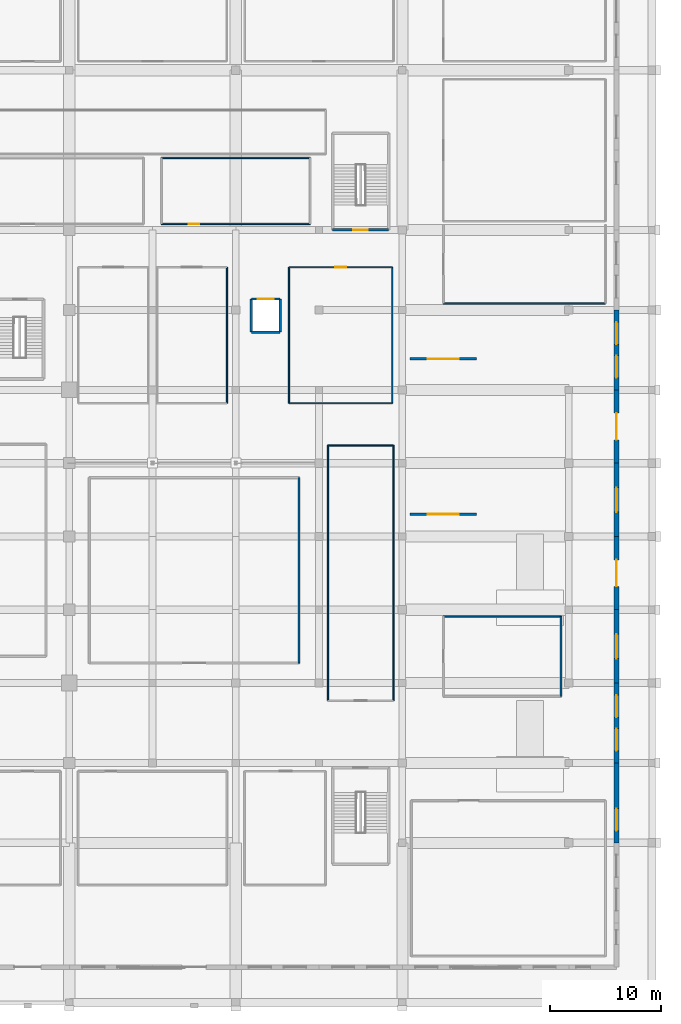
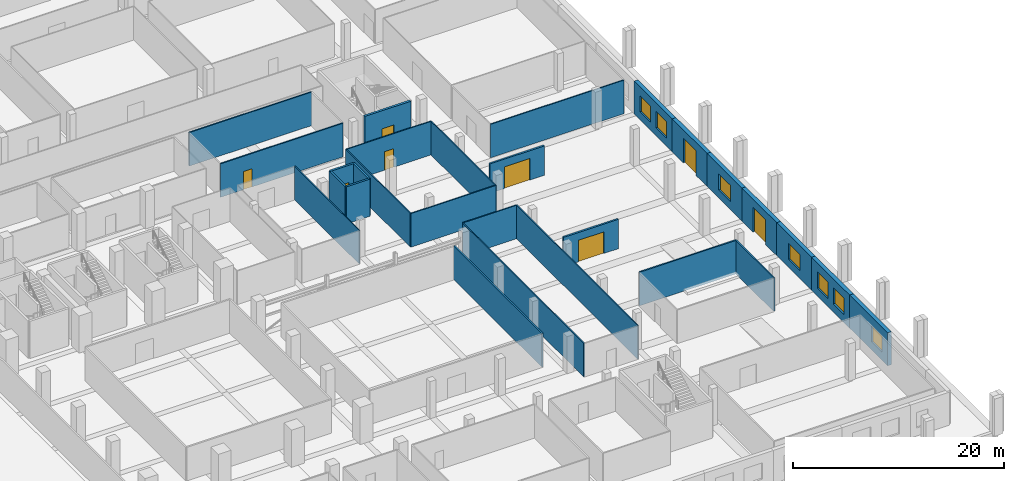
# One storey, part 23 of 33: 28 walls, 8 doors, 7 windows, 15 openings.
"""IFC4 building model written with IfcOpenShell, lengths in metres."""

from ifc_helpers import new_model, si_unit, direction, frame, frame_2d, origin, place, context, subcontext, project, spatial, rectangle, extrude, material, layer, layer_set, type_object, element, fill, save


model = new_model("IFC4")

# Units and contexts
model_context = context("Model", 3, precision=1e-05, world=origin(), true_north=direction((0.0, 1.0)))
body_context = subcontext(model_context, "Body", "Model", "MODEL_VIEW")
ifc_project = project(units=[si_unit("LENGTHUNIT", "METRE"), si_unit("AREAUNIT", "SQUARE_METRE"), si_unit("VOLUMEUNIT", "CUBIC_METRE"), si_unit("PLANEANGLEUNIT", "RADIAN"), si_unit("MASSUNIT", "GRAM", prefix="KILO")], contexts=[model_context])

# Site, building, storey
site_placement = place(None, origin())
site = spatial("IfcSite", under=ifc_project, at=site_placement, CompositionType="ELEMENT")
building_placement = place(site_placement, origin())
building = spatial("IfcBuilding", under=site, at=building_placement, Name="Akrevak Sports Hall", CompositionType="ELEMENT")
storey_placement = place(building_placement, origin())
storey = spatial("IfcBuildingStorey", under=building, at=storey_placement, Name="L00", CompositionType="ELEMENT", Elevation=0.0)

# Wall, opening, window
ifc_material_1 = material(Name="Limestone Ashlar", Category="stone")
ifc_layer_1 = layer(ifc_material_1, 0.090087890625, Name="Limestone Ashlar")
ifc_material_2 = material(Name="Mineral Wool Thermal Insulation", Category="insulation")
ifc_layer_2 = layer(ifc_material_2, 0.110107421875, Name="Mineral Wool Thermal Insulation")
ifc_material_3 = material(Name="Concrete C40/50", Category="concrete")
ifc_layer_3 = layer(ifc_material_3, 0.219970703125, Name="Concrete C40/50")
ifc_layer_set_1 = layer_set([ifc_layer_1, ifc_layer_2, ifc_layer_3], Name="Limestone Ashlar / Mineral Wool Thermal Insulation / Concrete C40/50")
wall_type_1 = type_object("IfcWallType", Name="ARC-WL-EXT-420", PredefinedType="SOLIDWALL", material=ifc_layer_set_1)
wall_1_placement = place(storey_placement, frame((164.800048828125, 14.39990234375, 0.0), z_axis=(0.0, 0.0, 1.0), x_axis=(0.0, 1.0, 0.0)))
wall_1 = element("IfcWall", 1, at=wall_1_placement, inside=storey, type_object=wall_type_1, Name="East Avenue Arcade Limestone Wall L00-E03", PredefinedType="SOLIDWALL", context=body_context, shape_type="SweptSolid", body=[
    extrude(rectangle(XDim=7.2001953125, YDim=0.419921875, at=frame_2d((3.60009765625, 0.0))), origin(), (0.0, 0.0, 1.0), 3.820068359375),
])
opening_1_placement = place(wall_1_placement, frame((1.087890625, 0.0, 0.919921875)))
opening_1 = element("IfcOpeningElement", 2, at=opening_1_placement, cuts=wall_1, Name="Opening WN-28", PredefinedType="OPENING", context=body_context, shape_type="SweptSolid", body=[
    extrude(rectangle(XDim=2.0, YDim=1.889892578125, at=frame_2d((1.0, 0.94482421875))), frame((0.0, 0.221923828125, 0.0), z_axis=(0.0, -1.0, 0.0), x_axis=(1.0, 0.0, 0.0)), (0.0, 0.0, 1.0), 0.44384765625),
])
ifc_material_4 = material(Name="Thermally Broken Bronze Frame & Double Low-E Glass", Category="glass")
window_type_1 = type_object("IfcWindowType", Name="ARC-WIN-SZ-2000x1890", PartitioningType="SINGLE_PANEL", PredefinedType="WINDOW", material=ifc_material_4)
window_1_placement = place(opening_1_placement, origin())
window_1 = element("IfcWindow", 3, at=window_1_placement, inside=storey, type_object=window_type_1, Name="Beaux-Arts Facade Window WIN-L00-E03-1", OverallHeight=1.889892578125, OverallWidth=2.0, PartitioningType="SINGLE_PANEL", PredefinedType="WINDOW", context=body_context, shape_type="SweptSolid", body=[
    extrude(rectangle(XDim=2.0, YDim=1.889892578125, at=frame_2d((1.0, 0.94482421875))), frame((0.0, 0.030029296875, 0.0), z_axis=(0.0, -1.0, 0.0), x_axis=(1.0, 0.0, 0.0)), (0.0, 0.0, 1.0), 0.06005859375),
])
fill(opening_1, window_1)

# Wall, openings, windows
wall_2_placement = place(storey_placement, frame((164.800048828125, 21.60009765625, 0.0), z_axis=(0.0, 0.0, 1.0), x_axis=(0.0, 1.0, 0.0)))
wall_2 = element("IfcWall", 4, at=wall_2_placement, inside=storey, type_object=wall_type_1, Name="East Avenue Arcade Limestone Wall L00-E04", PredefinedType="SOLIDWALL", context=body_context, shape_type="SweptSolid", body=[
    extrude(rectangle(XDim=7.199951171875, YDim=0.419921875, at=frame_2d((3.60009765625, 0.0))), origin(), (0.0, 0.0, 1.0), 3.820068359375),
])
opening_2_placement = place(wall_2_placement, frame((1.087890625, 0.0, 0.919921875)))
opening_2 = element("IfcOpeningElement", 5, at=opening_2_placement, cuts=wall_2, Name="Opening WN-28", PredefinedType="OPENING", context=body_context, shape_type="SweptSolid", body=[
    extrude(rectangle(XDim=2.0, YDim=1.889892578125, at=frame_2d((1.0, 0.94482421875))), frame((0.0, 0.221923828125, 0.0), z_axis=(0.0, -1.0, 0.0), x_axis=(1.0, 0.0, 0.0)), (0.0, 0.0, 1.0), 0.44384765625),
])
opening_3_placement = place(wall_2_placement, frame((4.112060546875, 0.0, 0.919921875)))
opening_3 = element("IfcOpeningElement", 6, at=opening_3_placement, cuts=wall_2, Name="Opening WN-28", PredefinedType="OPENING", context=body_context, shape_type="SweptSolid", body=[
    extrude(rectangle(XDim=2.0, YDim=1.889892578125, at=frame_2d((1.0, 0.94482421875))), frame((0.0, 0.221923828125, 0.0), z_axis=(0.0, -1.0, 0.0), x_axis=(1.0, 0.0, 0.0)), (0.0, 0.0, 1.0), 0.44384765625),
])
window_2_placement = place(opening_2_placement, origin())
window_2 = element("IfcWindow", 7, at=window_2_placement, inside=storey, type_object=window_type_1, Name="Beaux-Arts Facade Window WIN-L00-E04-1", OverallHeight=1.889892578125, OverallWidth=2.0, PartitioningType="SINGLE_PANEL", PredefinedType="WINDOW", context=body_context, shape_type="SweptSolid", body=[
    extrude(rectangle(XDim=2.0, YDim=1.889892578125, at=frame_2d((1.0, 0.94482421875))), frame((0.0, 0.030029296875, 0.0), z_axis=(0.0, -1.0, 0.0), x_axis=(1.0, 0.0, 0.0)), (0.0, 0.0, 1.0), 0.06005859375),
])
fill(opening_2, window_2)
window_3_placement = place(opening_3_placement, origin())
window_3 = element("IfcWindow", 8, at=window_3_placement, inside=storey, type_object=window_type_1, Name="Beaux-Arts Facade Window WIN-L00-E04-2", OverallHeight=1.889892578125, OverallWidth=2.0, PartitioningType="SINGLE_PANEL", PredefinedType="WINDOW", context=body_context, shape_type="SweptSolid", body=[
    extrude(rectangle(XDim=2.0, YDim=1.889892578125, at=frame_2d((1.0, 0.94482421875))), frame((0.0, 0.030029296875, 0.0), z_axis=(0.0, -1.0, 0.0), x_axis=(1.0, 0.0, 0.0)), (0.0, 0.0, 1.0), 0.06005859375),
])
fill(opening_3, window_3)

# Wall, opening, window
wall_3_placement = place(storey_placement, frame((164.800048828125, 28.800048828125, 0.0), z_axis=(0.0, 0.0, 1.0), x_axis=(0.0, 1.0, 0.0)))
wall_3 = element("IfcWall", 9, at=wall_3_placement, inside=storey, type_object=wall_type_1, Name="East Avenue Arcade Limestone Wall L00-E05", PredefinedType="SOLIDWALL", context=body_context, shape_type="SweptSolid", body=[
    extrude(rectangle(XDim=6.599853515625, YDim=0.419921875, at=frame_2d((3.2998046875, 0.0))), origin(), (0.0, 0.0, 1.0), 3.820068359375),
])
opening_4_placement = place(wall_3_placement, frame((2.199951171875, 0.0, 0.919921875)))
opening_4 = element("IfcOpeningElement", 10, at=opening_4_placement, cuts=wall_3, Name="Opening WN-27", PredefinedType="OPENING", context=body_context, shape_type="SweptSolid", body=[
    extrude(rectangle(XDim=2.199951171875, YDim=1.889892578125, at=frame_2d((1.10009765625, 0.94482421875))), frame((0.0, 0.221923828125, 0.0), z_axis=(0.0, -1.0, 0.0), x_axis=(1.0, 0.0, 0.0)), (0.0, 0.0, 1.0), 0.44384765625),
])
window_type_2 = type_object("IfcWindowType", Name="ARC-WIN-SZ-2200x1890", PartitioningType="SINGLE_PANEL", PredefinedType="WINDOW", material=ifc_material_4)
window_4_placement = place(opening_4_placement, origin())
window_4 = element("IfcWindow", 11, at=window_4_placement, inside=storey, type_object=window_type_2, Name="Beaux-Arts Facade Window WIN-L00-E05", OverallHeight=1.889892578125, OverallWidth=2.199951171875, PartitioningType="SINGLE_PANEL", PredefinedType="WINDOW", context=body_context, shape_type="SweptSolid", body=[
    extrude(rectangle(XDim=2.199951171875, YDim=1.889892578125, at=frame_2d((1.10009765625, 0.94482421875))), frame((0.0, 0.030029296875, 0.0), z_axis=(0.0, -1.0, 0.0), x_axis=(1.0, 0.0, 0.0)), (0.0, 0.0, 1.0), 0.06005859375),
])
fill(opening_4, window_4)

# Wall, opening, door
wall_4_placement = place(storey_placement, frame((164.800048828125, 35.39990234375, 0.0), z_axis=(0.0, 0.0, 1.0), x_axis=(0.0, 1.0, 0.0)))
wall_4 = element("IfcWall", 12, at=wall_4_placement, inside=storey, type_object=wall_type_1, Name="East Avenue Arcade Limestone Wall L00-E06", PredefinedType="SOLIDWALL", context=body_context, shape_type="SweptSolid", body=[
    extrude(rectangle(XDim=6.60009765625, YDim=0.419921875, at=frame_2d((3.300048828125, 0.0))), origin(), (0.0, 0.0, 1.0), 3.820068359375),
])
opening_5_placement = place(wall_4_placement, frame((2.10009765625, 0.0, 0.0)))
opening_5 = element("IfcOpeningElement", 13, at=opening_5_placement, cuts=wall_4, Name="Opening ED-01", PredefinedType="OPENING", context=body_context, shape_type="SweptSolid", body=[
    extrude(rectangle(XDim=2.39990234375, YDim=2.85009765625, at=frame_2d((1.199951171875, 1.425048828125))), frame((0.0, 0.221923828125, 0.0), z_axis=(0.0, -1.0, 0.0), x_axis=(1.0, 0.0, 0.0)), (0.0, 0.0, 1.0), 0.44384765625),
])
ifc_material_5 = material(Name="Anodized Bronze Aluminium & Tempered Glass", Category="aluminium")
door_type_1 = type_object("IfcDoorType", Name="ARC-DR-EXT-240x260", OperationType="DOUBLE_DOOR_SINGLE_SWING", PredefinedType="DOOR", material=ifc_material_5)
door_1_placement = place(opening_5_placement, frame((2.39990234375, 0.0, 0.0), z_axis=(0.0, 0.0, 1.0), x_axis=(-1.0, 0.0, 0.0)))
door_1 = element("IfcDoor", 14, at=door_1_placement, inside=storey, type_object=door_type_1, Name="East Avenue Climbing Hall Entrance ED09", OperationType="DOUBLE_DOOR_SINGLE_SWING", OverallHeight=2.85009765625, OverallWidth=2.39990234375, PredefinedType="DOOR", context=body_context, shape_type="SweptSolid", body=[
    extrude(rectangle(XDim=2.39990234375, YDim=2.85009765625, at=frame_2d((1.199951171875, 1.425048828125))), frame((0.0, 0.02490234375, 0.0), z_axis=(0.0, -1.0, 0.0), x_axis=(1.0, 0.0, 0.0)), (0.0, 0.0, 1.0), 0.050048828125),
])
fill(opening_5, door_1)

# Wall, opening, window
wall_5_placement = place(storey_placement, frame((164.800048828125, 42.0, 0.0), z_axis=(0.0, 0.0, 1.0), x_axis=(0.0, 1.0, 0.0)))
wall_5 = element("IfcWall", 15, at=wall_5_placement, inside=storey, type_object=wall_type_1, Name="East Avenue Arcade Limestone Wall L00-E07", PredefinedType="SOLIDWALL", context=body_context, shape_type="SweptSolid", body=[
    extrude(rectangle(XDim=6.60009765625, YDim=0.419921875, at=frame_2d((3.300048828125, 0.0))), origin(), (0.0, 0.0, 1.0), 3.820068359375),
])
opening_6_placement = place(wall_5_placement, frame((2.199951171875, 0.0, 0.919921875)))
opening_6 = element("IfcOpeningElement", 16, at=opening_6_placement, cuts=wall_5, Name="Opening WN-27", PredefinedType="OPENING", context=body_context, shape_type="SweptSolid", body=[
    extrude(rectangle(XDim=2.199951171875, YDim=1.889892578125, at=frame_2d((1.10009765625, 0.94482421875))), frame((0.0, 0.221923828125, 0.0), z_axis=(0.0, -1.0, 0.0), x_axis=(1.0, 0.0, 0.0)), (0.0, 0.0, 1.0), 0.44384765625),
])
window_5_placement = place(opening_6_placement, origin())
window_5 = element("IfcWindow", 17, at=window_5_placement, inside=storey, type_object=window_type_2, Name="Beaux-Arts Facade Window WIN-L00-E07", OverallHeight=1.889892578125, OverallWidth=2.199951171875, PartitioningType="SINGLE_PANEL", PredefinedType="WINDOW", context=body_context, shape_type="SweptSolid", body=[
    extrude(rectangle(XDim=2.199951171875, YDim=1.889892578125, at=frame_2d((1.10009765625, 0.94482421875))), frame((0.0, 0.030029296875, 0.0), z_axis=(0.0, -1.0, 0.0), x_axis=(1.0, 0.0, 0.0)), (0.0, 0.0, 1.0), 0.06005859375),
])
fill(opening_6, window_5)

# Wall, opening, door
wall_6_placement = place(storey_placement, frame((164.800048828125, 48.60009765625, 0.0), z_axis=(0.0, 0.0, 1.0), x_axis=(0.0, 1.0, 0.0)))
wall_6 = element("IfcWall", 18, at=wall_6_placement, inside=storey, type_object=wall_type_1, Name="East Avenue Arcade Limestone Wall L00-E08", PredefinedType="SOLIDWALL", context=body_context, shape_type="SweptSolid", body=[
    extrude(rectangle(XDim=6.599853515625, YDim=0.419921875, at=frame_2d((3.2998046875, 0.0))), origin(), (0.0, 0.0, 1.0), 3.820068359375),
])
opening_7_placement = place(wall_6_placement, frame((2.10009765625, 0.0, 0.0)))
opening_7 = element("IfcOpeningElement", 19, at=opening_7_placement, cuts=wall_6, Name="Opening ED-01", PredefinedType="OPENING", context=body_context, shape_type="SweptSolid", body=[
    extrude(rectangle(XDim=2.39990234375, YDim=2.85009765625, at=frame_2d((1.199951171875, 1.425048828125))), frame((0.0, 0.221923828125, 0.0), z_axis=(0.0, -1.0, 0.0), x_axis=(1.0, 0.0, 0.0)), (0.0, 0.0, 1.0), 0.44384765625),
])
door_2_placement = place(opening_7_placement, frame((2.39990234375, 0.0, 0.0), z_axis=(0.0, 0.0, 1.0), x_axis=(-1.0, 0.0, 0.0)))
door_2 = element("IfcDoor", 20, at=door_2_placement, inside=storey, type_object=door_type_1, Name="East Avenue Concourse Exit ED10", OperationType="DOUBLE_DOOR_SINGLE_SWING", OverallHeight=2.85009765625, OverallWidth=2.39990234375, PredefinedType="DOOR", context=body_context, shape_type="SweptSolid", body=[
    extrude(rectangle(XDim=2.39990234375, YDim=2.85009765625, at=frame_2d((1.199951171875, 1.425048828125))), frame((0.0, 0.02490234375, 0.0), z_axis=(0.0, -1.0, 0.0), x_axis=(1.0, 0.0, 0.0)), (0.0, 0.0, 1.0), 0.050048828125),
])
fill(opening_7, door_2)

# Wall, openings, windows
wall_7_placement = place(storey_placement, frame((164.800048828125, 55.199951171875, 0.0), z_axis=(0.0, 0.0, 1.0), x_axis=(0.0, 1.0, 0.0)))
wall_7 = element("IfcWall", 21, at=wall_7_placement, inside=storey, type_object=wall_type_1, Name="East Avenue Arcade Limestone Wall L00-E09", PredefinedType="SOLIDWALL", context=body_context, shape_type="SweptSolid", body=[
    extrude(rectangle(XDim=7.199951171875, YDim=0.419921875, at=frame_2d((3.60009765625, 0.0))), origin(), (0.0, 0.0, 1.0), 3.820068359375),
])
opening_8_placement = place(wall_7_placement, frame((1.087890625, 0.0, 0.919921875)))
opening_8 = element("IfcOpeningElement", 22, at=opening_8_placement, cuts=wall_7, Name="Opening WN-28", PredefinedType="OPENING", context=body_context, shape_type="SweptSolid", body=[
    extrude(rectangle(XDim=2.0, YDim=1.889892578125, at=frame_2d((1.0, 0.94482421875))), frame((0.0, 0.221923828125, 0.0), z_axis=(0.0, -1.0, 0.0), x_axis=(1.0, 0.0, 0.0)), (0.0, 0.0, 1.0), 0.44384765625),
])
opening_9_placement = place(wall_7_placement, frame((4.112060546875, 0.0, 0.919921875)))
opening_9 = element("IfcOpeningElement", 23, at=opening_9_placement, cuts=wall_7, Name="Opening WN-28", PredefinedType="OPENING", context=body_context, shape_type="SweptSolid", body=[
    extrude(rectangle(XDim=2.0, YDim=1.889892578125, at=frame_2d((1.0, 0.94482421875))), frame((0.0, 0.221923828125, 0.0), z_axis=(0.0, -1.0, 0.0), x_axis=(1.0, 0.0, 0.0)), (0.0, 0.0, 1.0), 0.44384765625),
])
window_6_placement = place(opening_8_placement, origin())
window_6 = element("IfcWindow", 24, at=window_6_placement, inside=storey, type_object=window_type_1, Name="Beaux-Arts Facade Window WIN-L00-E09-1", OverallHeight=1.889892578125, OverallWidth=2.0, PartitioningType="SINGLE_PANEL", PredefinedType="WINDOW", context=body_context, shape_type="SweptSolid", body=[
    extrude(rectangle(XDim=2.0, YDim=1.889892578125, at=frame_2d((1.0, 0.94482421875))), frame((0.0, 0.030029296875, 0.0), z_axis=(0.0, -1.0, 0.0), x_axis=(1.0, 0.0, 0.0)), (0.0, 0.0, 1.0), 0.06005859375),
])
fill(opening_8, window_6)
window_7_placement = place(opening_9_placement, origin())
window_7 = element("IfcWindow", 25, at=window_7_placement, inside=storey, type_object=window_type_1, Name="Beaux-Arts Facade Window WIN-L00-E09-2", OverallHeight=1.889892578125, OverallWidth=2.0, PartitioningType="SINGLE_PANEL", PredefinedType="WINDOW", context=body_context, shape_type="SweptSolid", body=[
    extrude(rectangle(XDim=2.0, YDim=1.889892578125, at=frame_2d((1.0, 0.94482421875))), frame((0.0, 0.030029296875, 0.0), z_axis=(0.0, -1.0, 0.0), x_axis=(1.0, 0.0, 0.0)), (0.0, 0.0, 1.0), 0.06005859375),
])
fill(opening_9, window_7)

# Walls
ifc_material_6 = material(Name="Lightweight Office Partition", Category="gypsum")
ifc_layer_4 = layer(ifc_material_6, 0.110107421875, Name="Lightweight Office Partition")
ifc_layer_set_2 = layer_set([ifc_layer_4], Name="Lightweight Office Partition")
wall_type_2 = type_object("IfcWallType", Name="ARC-WL-PRT-110", PredefinedType="PARTITIONING", material=ifc_layer_set_2)
wall_8_placement = place(storey_placement, frame((129.699951171875, 54.0, 0.0), z_axis=(0.0, 0.0, 1.0), x_axis=(0.0, 1.0, 0.0)))
element("IfcWall", 26, at=wall_8_placement, inside=storey, type_object=wall_type_2, Name="Interior Partition Climbing Rigging & Mat Storage L00 (E)", PredefinedType="PARTITIONING", context=body_context, shape_type="SweptSolid", body=[
    extrude(rectangle(XDim=12.25, YDim=0.110107421875, at=frame_2d((6.125, 0.0))), origin(), (0.0, 0.0, 1.0), 3.8798828125),
])
ifc_material_7 = material(Name="Standard Metal Stud Partition", Category="gypsum")
ifc_layer_5 = layer(ifc_material_7, 0.1201171875, Name="Standard Metal Stud Partition")
ifc_layer_set_3 = layer_set([ifc_layer_5], Name="Standard Metal Stud Partition")
wall_type_3 = type_object("IfcWallType", Name="ARC-WL-PRT-120", PredefinedType="PARTITIONING", material=ifc_layer_set_3)
wall_9_placement = place(storey_placement, frame((135.300048828125, 54.0, 0.0), z_axis=(0.0, 0.0, 1.0), x_axis=(1.0, 0.0, 0.0)))
element("IfcWall", 27, at=wall_9_placement, inside=storey, type_object=wall_type_3, Name="Interior Partition East Technical Officiating Office L00 (S)", PredefinedType="PARTITIONING", context=body_context, shape_type="SweptSolid", body=[
    extrude(rectangle(XDim=9.300048828125, YDim=0.1201171875, at=frame_2d((4.64990234375, 0.0))), origin(), (0.0, 0.0, 1.0), 3.8798828125),
])

# Wall, opening, door
wall_10_placement = place(storey_placement, frame((135.300048828125, 66.25, 0.0), z_axis=(0.0, 0.0, 1.0), x_axis=(1.0, 0.0, 0.0)))
wall_10 = element("IfcWall", 28, at=wall_10_placement, inside=storey, type_object=wall_type_3, Name="Interior Partition East Technical Officiating Office L00 (N)", PredefinedType="PARTITIONING", context=body_context, shape_type="SweptSolid", body=[
    extrude(rectangle(XDim=9.300048828125, YDim=0.1201171875, at=frame_2d((4.64990234375, 0.0))), origin(), (0.0, 0.0, 1.0), 3.8798828125),
])
opening_10_placement = place(wall_10_placement, frame((4.14990234375, 0.0, 0.0)))
opening_10 = element("IfcOpeningElement", 29, at=opening_10_placement, cuts=wall_10, Name="Opening ID-06", PredefinedType="OPENING", context=body_context, shape_type="SweptSolid", body=[
    extrude(rectangle(XDim=1.0, YDim=2.14990234375, at=frame_2d((0.5, 1.074951171875))), frame((0.0, 0.072021484375, 0.0), z_axis=(0.0, -1.0, 0.0), x_axis=(1.0, 0.0, 0.0)), (0.0, 0.0, 1.0), 0.14404296875),
])
ifc_material_8 = material(Name="Hardwood Oak Acoustic Leaf", Category="wood")
door_type_2 = type_object("IfcDoorType", Name="ARC-DR-OFF-100x215", OperationType="NOTDEFINED", PredefinedType="DOOR", material=ifc_material_8)
door_3_placement = place(opening_10_placement, origin())
door_3 = element("IfcDoor", 30, at=door_3_placement, inside=storey, type_object=door_type_2, Name="Door to East Technical Officiating Office L00", OperationType="SINGLE_SWING_LEFT", OverallHeight=2.14990234375, OverallWidth=1.0, PredefinedType="DOOR", context=body_context, shape_type="SweptSolid", body=[
    extrude(rectangle(XDim=1.0, YDim=2.14990234375, at=frame_2d((0.5, 1.074951171875))), frame((0.0, 0.02490234375, 0.0), z_axis=(0.0, -1.0, 0.0), x_axis=(1.0, 0.0, 0.0)), (0.0, 0.0, 1.0), 0.050048828125),
])
fill(opening_10, door_3)

# Walls
for number, where, z_axis, x_axis, name in (
    (31, (135.300048828125, 54.0, 0.0), (0.0, 0.0, 1.0), (0.0, 1.0, 0.0), "Interior Partition East Technical Officiating Office L00 (W)"),
    (32, (144.60009765625, 54.0, 0.0), (0.0, 0.0, 1.0), (0.0, 1.0, 0.0), "Interior Partition East Technical Officiating Office L00 (E)"),
):
    element("IfcWall", number, at=place(storey_placement, frame(where, z_axis=z_axis, x_axis=x_axis)), inside=storey, type_object=wall_type_3, Name=name, PredefinedType="PARTITIONING", context=body_context, shape_type="SweptSolid", body=[
        extrude(rectangle(XDim=12.25, YDim=0.1201171875, at=frame_2d((6.125, 0.0))), origin(), (0.0, 0.0, 1.0), 3.8798828125),
    ])
wall_11_placement = place(storey_placement, frame((149.199951171875, 63.0, 0.0), z_axis=(0.0, 0.0, 1.0), x_axis=(1.0, 0.0, 0.0)))
element("IfcWall", 33, at=wall_11_placement, inside=storey, type_object=wall_type_3, Name="Interior Partition North-East Team Kit Storage L00 (S)", PredefinedType="PARTITIONING", context=body_context, shape_type="SweptSolid", body=[
    extrude(rectangle(XDim=14.60009765625, YDim=0.1201171875, at=frame_2d((7.300048828125, 0.0))), origin(), (0.0, 0.0, 1.0), 3.8798828125),
])
wall_12_placement = place(storey_placement, frame((138.800048828125, 50.199951171875, 0.0), z_axis=(0.0, 0.0, 1.0), x_axis=(1.0, 0.0, 0.0)))
element("IfcWall", 34, at=wall_12_placement, inside=storey, type_object=wall_type_3, Name="Interior Partition Climbing Competition Judges & Isolation Room L00 (N)", PredefinedType="PARTITIONING", context=body_context, shape_type="SweptSolid", body=[
    extrude(rectangle(XDim=5.89990234375, YDim=0.1201171875, at=frame_2d((2.949951171875, 0.0))), origin(), (0.0, 0.0, 1.0), 3.8798828125),
])
for number, where, z_axis, x_axis, name in (
    (35, (138.800048828125, 27.199951171875, 0.0), (0.0, 0.0, 1.0), (0.0, 1.0, 0.0), "Interior Partition Climbing Competition Judges & Isolation Room L00 (W)"),
    (36, (144.699951171875, 27.199951171875, 0.0), (0.0, 0.0, 1.0), (0.0, 1.0, 0.0), "Interior Partition Climbing Competition Judges & Isolation Room L00 (E)"),
):
    element("IfcWall", number, at=place(storey_placement, frame(where, z_axis=z_axis, x_axis=x_axis)), inside=storey, type_object=wall_type_3, Name=name, PredefinedType="PARTITIONING", context=body_context, shape_type="SweptSolid", body=[
        extrude(rectangle(XDim=23.0, YDim=0.1201171875, at=frame_2d((11.5, 0.0))), origin(), (0.0, 0.0, 1.0), 3.8798828125),
    ])

# Wall, opening, door
ifc_material_9 = material(Name="Moisture-Resistant Wet-Area Partition", Category="gypsum")
ifc_layer_6 = layer(ifc_material_9, 0.139892578125, Name="Moisture-Resistant Wet-Area Partition")
ifc_layer_set_4 = layer_set([ifc_layer_6], Name="Moisture-Resistant Wet-Area Partition")
wall_type_4 = type_object("IfcWallType", Name="ARC-WL-PRT-140", PredefinedType="PARTITIONING", material=ifc_layer_set_4)
wall_13_placement = place(storey_placement, frame((123.800048828125, 70.14990234375, 0.0), z_axis=(0.0, 0.0, 1.0), x_axis=(1.0, 0.0, 0.0)))
wall_13 = element("IfcWall", 37, at=wall_13_placement, inside=storey, type_object=wall_type_4, Name="Interior Partition Athletes Team Shower Suite (S)", PredefinedType="PARTITIONING", context=body_context, shape_type="SweptSolid", body=[
    extrude(rectangle(XDim=13.39990234375, YDim=0.139892578125, at=frame_2d((6.699951171875, 0.0))), origin(), (0.0, 0.0, 1.0), 3.8798828125),
])
opening_11_placement = place(wall_13_placement, frame((2.47509765625, 0.0, 0.0)))
opening_11 = element("IfcOpeningElement", 38, at=opening_11_placement, cuts=wall_13, Name="Opening ID-08", PredefinedType="OPENING", context=body_context, shape_type="SweptSolid", body=[
    extrude(rectangle(XDim=0.949951171875, YDim=2.10009765625, at=frame_2d((0.47509765625, 1.050048828125))), frame((0.0, 0.08203125, 0.0), z_axis=(0.0, -1.0, 0.0), x_axis=(1.0, 0.0, 0.0)), (0.0, 0.0, 1.0), 0.163818359375),
])
ifc_material_10 = material(Name="High-Pressure Laminate & Aluminium", Category="aluminium")
door_type_3 = type_object("IfcDoorType", Name="ARC-DR-WC-095x210", OperationType="NOTDEFINED", PredefinedType="DOOR", material=ifc_material_10)
door_4_placement = place(opening_11_placement, frame((0.949951171875, 0.0, 0.0), z_axis=(0.0, 0.0, 1.0), x_axis=(-1.0, 0.0, 0.0)))
door_4 = element("IfcDoor", 39, at=door_4_placement, inside=storey, type_object=door_type_3, Name="Door to Athletes Team Shower Suite", OperationType="SINGLE_SWING_RIGHT", OverallHeight=2.10009765625, OverallWidth=0.949951171875, PredefinedType="DOOR", context=body_context, shape_type="SweptSolid", body=[
    extrude(rectangle(XDim=0.949951171875, YDim=2.10009765625, at=frame_2d((0.47509765625, 1.050048828125))), frame((0.0, 0.02490234375, 0.0), z_axis=(0.0, -1.0, 0.0), x_axis=(1.0, 0.0, 0.0)), (0.0, 0.0, 1.0), 0.050048828125),
])
fill(opening_11, door_4)

# Walls
wall_14_placement = place(storey_placement, frame((123.800048828125, 76.10009765625, 0.0), z_axis=(0.0, 0.0, 1.0), x_axis=(1.0, 0.0, 0.0)))
element("IfcWall", 40, at=wall_14_placement, inside=storey, type_object=wall_type_4, Name="Interior Partition Athletes Team Shower Suite (N)", PredefinedType="PARTITIONING", context=body_context, shape_type="SweptSolid", body=[
    extrude(rectangle(XDim=13.39990234375, YDim=0.139892578125, at=frame_2d((6.699951171875, 0.0))), origin(), (0.0, 0.0, 1.0), 3.8798828125),
])
ifc_material_11 = material(Name="Double Stud Acoustic Gypsum Partition", Category="gypsum")
ifc_layer_7 = layer(ifc_material_11, 0.14990234375, Name="Double Stud Acoustic Gypsum Partition")
ifc_layer_set_5 = layer_set([ifc_layer_7], Name="Double Stud Acoustic Gypsum Partition")
wall_type_5 = type_object("IfcWallType", Name="ARC-WL-PRT-150", PredefinedType="PARTITIONING", material=ifc_layer_set_5)
wall_15_placement = place(storey_placement, frame((149.199951171875, 34.800048828125, 0.0), z_axis=(0.0, 0.0, 1.0), x_axis=(1.0, 0.0, 0.0)))
element("IfcWall", 41, at=wall_15_placement, inside=storey, type_object=wall_type_5, Name="Interior Partition East Boulevard Athletic Conditioning Office L00 (N)", PredefinedType="PARTITIONING", context=body_context, shape_type="SweptSolid", body=[
    extrude(rectangle(XDim=10.60009765625, YDim=0.14990234375, at=frame_2d((5.300048828125, 0.0))), origin(), (0.0, 0.0, 1.0), 3.8798828125),
])
wall_16_placement = place(storey_placement, frame((159.800048828125, 27.60009765625, 0.0), z_axis=(0.0, 0.0, 1.0), x_axis=(0.0, 1.0, 0.0)))
element("IfcWall", 42, at=wall_16_placement, inside=storey, type_object=wall_type_5, Name="Interior Partition East Boulevard Athletic Conditioning Office L00 (E)", PredefinedType="PARTITIONING", context=body_context, shape_type="SweptSolid", body=[
    extrude(rectangle(XDim=7.199951171875, YDim=0.14990234375, at=frame_2d((3.60009765625, 0.0))), origin(), (0.0, 0.0, 1.0), 3.8798828125),
])
ifc_material_12 = material(Name="Double Stud Fireboard Partition", Category="gypsum")
ifc_layer_8 = layer(ifc_material_12, 0.1650390625, Name="Double Stud Fireboard Partition")
ifc_layer_set_6 = layer_set([ifc_layer_8], Name="Double Stud Fireboard Partition")
wall_type_6 = type_object("IfcWallType", Name="ARC-WL-PRT-165", PredefinedType="PARTITIONING", material=ifc_layer_set_6)
wall_17_placement = place(storey_placement, frame((136.199951171875, 30.60009765625, 0.0), z_axis=(0.0, 0.0, 1.0), x_axis=(0.0, 1.0, 0.0)))
element("IfcWall", 43, at=wall_17_placement, inside=storey, type_object=wall_type_6, Name="Interior Partition Climbing Wall Hall (E)", PredefinedType="PARTITIONING", context=body_context, shape_type="SweptSolid", body=[
    extrude(rectangle(XDim=16.699951171875, YDim=0.1650390625, at=frame_2d((8.35009765625, 0.0))), origin(), (0.0, 0.0, 1.0), 3.8798828125),
])

# Wall, opening, door
ifc_material_13 = material(Name="Autoclaved Aerated Masonry Block", Category="masonry")
ifc_layer_9 = layer(ifc_material_13, 0.199951171875, Name="Autoclaved Aerated Masonry Block")
ifc_layer_set_7 = layer_set([ifc_layer_9], Name="Autoclaved Aerated Masonry Block")
wall_type_7 = type_object("IfcWallType", Name="ARC-WL-PRT-200", PredefinedType="PARTITIONING", material=ifc_layer_set_7)
wall_18_placement = place(storey_placement, frame((146.199951171875, 58.0, 0.0), z_axis=(0.0, 0.0, 1.0), x_axis=(1.0, 0.0, 0.0)))
wall_18 = element("IfcWall", 44, at=wall_18_placement, inside=storey, type_object=wall_type_7, Name="Service Bay Wall L00-3", PredefinedType="PARTITIONING", context=body_context, shape_type="SweptSolid", body=[
    extrude(rectangle(XDim=6.0, YDim=0.199951171875, at=frame_2d((3.0, 0.0))), origin(), (0.0, 0.0, 1.0), 3.39990234375),
])
opening_12_placement = place(wall_18_placement, frame((1.60009765625, 0.0, 0.0)))
opening_12 = element("IfcOpeningElement", 45, at=opening_12_placement, cuts=wall_18, Name="Opening GT-03", PredefinedType="OPENING", context=body_context, shape_type="SweptSolid", body=[
    extrude(rectangle(XDim=2.800048828125, YDim=2.5, at=frame_2d((1.39990234375, 1.25))), frame((0.0, 0.11181640625, 0.0), z_axis=(0.0, -1.0, 0.0), x_axis=(1.0, 0.0, 0.0)), (0.0, 0.0, 1.0), 0.223876953125),
])
ifc_material_14 = material(Name="Galvanized Roller Shutter Steel", Category="steel")
door_type_4 = type_object("IfcDoorType", Name="ARC-DR-SRV-280x250", OperationType="ROLLINGUP", PredefinedType="GATE", material=ifc_material_14)
door_5_placement = place(opening_12_placement, origin())
door_5 = element("IfcDoor", 46, at=door_5_placement, inside=storey, type_object=door_type_4, Name="L00 Arena Rigging Bay Roller Gate GT-07", OperationType="ROLLINGUP", OverallHeight=2.5, OverallWidth=2.800048828125, PredefinedType="GATE", context=body_context, shape_type="SweptSolid", body=[
    extrude(rectangle(XDim=2.800048828125, YDim=2.5, at=frame_2d((1.39990234375, 1.25))), frame((0.0, 0.02490234375, 0.0), z_axis=(0.0, -1.0, 0.0), x_axis=(1.0, 0.0, 0.0)), (0.0, 0.0, 1.0), 0.050048828125),
])
fill(opening_12, door_5)

wall_19_placement = place(storey_placement, frame((146.199951171875, 44.0, 0.0), z_axis=(0.0, 0.0, 1.0), x_axis=(1.0, 0.0, 0.0)))
wall_19 = element("IfcWall", 47, at=wall_19_placement, inside=storey, type_object=wall_type_7, Name="Service Bay Wall L00-4", PredefinedType="PARTITIONING", context=body_context, shape_type="SweptSolid", body=[
    extrude(rectangle(XDim=6.0, YDim=0.199951171875, at=frame_2d((3.0, 0.0))), origin(), (0.0, 0.0, 1.0), 3.39990234375),
])
opening_13_placement = place(wall_19_placement, frame((1.60009765625, 0.0, 0.0)))
opening_13 = element("IfcOpeningElement", 48, at=opening_13_placement, cuts=wall_19, Name="Opening GT-03", PredefinedType="OPENING", context=body_context, shape_type="SweptSolid", body=[
    extrude(rectangle(XDim=2.800048828125, YDim=2.5, at=frame_2d((1.39990234375, 1.25))), frame((0.0, 0.11181640625, 0.0), z_axis=(0.0, -1.0, 0.0), x_axis=(1.0, 0.0, 0.0)), (0.0, 0.0, 1.0), 0.223876953125),
])
door_6_placement = place(opening_13_placement, origin())
door_6 = element("IfcDoor", 49, at=door_6_placement, inside=storey, type_object=door_type_4, Name="L00 Service Loading Bay Roller Gate GT-08", OperationType="ROLLINGUP", OverallHeight=2.5, OverallWidth=2.800048828125, PredefinedType="GATE", context=body_context, shape_type="SweptSolid", body=[
    extrude(rectangle(XDim=2.800048828125, YDim=2.5, at=frame_2d((1.39990234375, 1.25))), frame((0.0, 0.02490234375, 0.0), z_axis=(0.0, -1.0, 0.0), x_axis=(1.0, 0.0, 0.0)), (0.0, 0.0, 1.0), 0.050048828125),
])
fill(opening_13, door_6)

# Wall
ifc_material_15 = material(Name="Concrete C50/60", Category="concrete")
ifc_layer_10 = layer(ifc_material_15, 0.219970703125, Name="Concrete C50/60")
ifc_layer_set_8 = layer_set([ifc_layer_10], Name="Concrete C50/60")
wall_type_8 = type_object("IfcWallType", Name="ARC-WL-SHAFT-220", PredefinedType="SHEAR", material=ifc_layer_set_8)
wall_20_placement = place(storey_placement, frame((131.909912109375, 60.409912109375, 0.0), z_axis=(0.0, 0.0, 1.0), x_axis=(1.0, 0.0, 0.0)))
element("IfcWall", 50, at=wall_20_placement, inside=storey, type_object=wall_type_8, Name="Lift Shaft LF-S1 Wall S (L00)", PredefinedType="SHEAR", context=body_context, shape_type="SweptSolid", body=[
    extrude(rectangle(XDim=2.580078125, YDim=0.219970703125, at=frame_2d((1.2900390625, 0.0))), origin(), (0.0, 0.0, 1.0), 4.300048828125),
])

# Wall, opening, door
wall_21_placement = place(storey_placement, frame((134.489990234375, 63.389892578125, 0.0), z_axis=(0.0, 0.0, 1.0), x_axis=(-1.0, 0.0, 0.0)))
wall_21 = element("IfcWall", 51, at=wall_21_placement, inside=storey, type_object=wall_type_8, Name="Lift Shaft LF-S1 Wall N (L00)", PredefinedType="SHEAR", context=body_context, shape_type="SweptSolid", body=[
    extrude(rectangle(XDim=2.580078125, YDim=0.219970703125, at=frame_2d((1.2900390625, 0.0))), origin(), (0.0, 0.0, 1.0), 4.300048828125),
])
opening_14_placement = place(wall_21_placement, frame((0.590087890625, 0.0, 0.0)))
opening_14 = element("IfcOpeningElement", 52, at=opening_14_placement, cuts=wall_21, Name="Opening LD-03", PredefinedType="OPENING", context=body_context, shape_type="SweptSolid", body=[
    extrude(rectangle(XDim=1.39990234375, YDim=2.300048828125, at=frame_2d((0.699951171875, 1.14990234375))), frame((0.0, 0.1220703125, 0.0), z_axis=(0.0, -1.0, 0.0), x_axis=(1.0, 0.0, 0.0)), (0.0, 0.0, 1.0), 0.243896484375),
])
ifc_material_16 = material(Name="Brushed Stainless Steel 304", Category="steel")
door_type_5 = type_object("IfcDoorType", Name="ARC-DR-LD-140x230", OperationType="SLIDING_TO_LEFT", PredefinedType="DOOR", material=ifc_material_16)
door_7_placement = place(opening_14_placement, origin())
door_7 = element("IfcDoor", 53, at=door_7_placement, inside=storey, type_object=door_type_5, Name="Lift LF-S1 Sliding Landing Door (L00)", OperationType="SLIDING_TO_LEFT", OverallHeight=2.300048828125, OverallWidth=1.39990234375, PredefinedType="DOOR", context=body_context, shape_type="SweptSolid", body=[
    extrude(rectangle(XDim=1.39990234375, YDim=2.300048828125, at=frame_2d((0.699951171875, 1.14990234375))), frame((0.0, 0.02490234375, 0.0), z_axis=(0.0, -1.0, 0.0), x_axis=(1.0, 0.0, 0.0)), (0.0, 0.0, 1.0), 0.050048828125),
])
fill(opening_14, door_7)

# Walls
for number, where, z_axis, x_axis, name in (
    (54, (131.909912109375, 63.389892578125, 0.0), (0.0, 0.0, 1.0), (0.0, -1.0, 0.0), "Lift Shaft LF-S1 Wall W (L00)"),
    (55, (134.489990234375, 60.409912109375, 0.0), (0.0, 0.0, 1.0), (0.0, 1.0, 0.0), "Lift Shaft LF-S1 Wall E (L00)"),
):
    element("IfcWall", number, at=place(storey_placement, frame(where, z_axis=z_axis, x_axis=x_axis)), inside=storey, type_object=wall_type_8, Name=name, PredefinedType="SHEAR", context=body_context, shape_type="SweptSolid", body=[
        extrude(rectangle(XDim=2.97998046875, YDim=0.219970703125, at=frame_2d((1.489990234375, 0.0))), origin(), (0.0, 0.0, 1.0), 4.300048828125),
    ])

# Wall, opening, door
ifc_layer_11 = layer(ifc_material_15, 0.25, Name="Concrete C50/60")
ifc_layer_set_9 = layer_set([ifc_layer_11], Name="Concrete C50/60")
wall_type_9 = type_object("IfcWallType", Name="STR-WL-STAIR-250", PredefinedType="SHEAR", material=ifc_layer_set_9)
wall_22_placement = place(storey_placement, frame((139.22509765625, 69.625, 0.0), z_axis=(0.0, 0.0, 1.0), x_axis=(1.0, 0.0, 0.0)))
wall_22 = element("IfcWall", 56, at=wall_22_placement, inside=storey, type_object=wall_type_9, Name="Stair Core ST8 Shear Wall S (L00)", PredefinedType="SHEAR", context=body_context, shape_type="SweptSolid", body=[
    extrude(rectangle(XDim=5.0498046875, YDim=0.25, at=frame_2d((2.52490234375, 0.0))), origin(), (0.0, 0.0, 1.0), 4.300048828125),
])
opening_15_placement = place(wall_22_placement, frame((1.875, 0.0, 0.0)))
opening_15 = element("IfcOpeningElement", 57, at=opening_15_placement, cuts=wall_22, Name="Opening SD-01", PredefinedType="OPENING", context=body_context, shape_type="SweptSolid", body=[
    extrude(rectangle(XDim=1.300048828125, YDim=2.199951171875, at=frame_2d((0.64990234375, 1.10009765625))), frame((0.0, 0.136962890625, 0.0), z_axis=(0.0, -1.0, 0.0), x_axis=(1.0, 0.0, 0.0)), (0.0, 0.0, 1.0), 0.27392578125),
])
ifc_material_17 = material(Name="Fire-Rated Galvanized Door Steel", Category="steel")
door_type_6 = type_object("IfcDoorType", Name="ARC-DR-STAIR-130x220", OperationType="NOTDEFINED", PredefinedType="DOOR", material=ifc_material_17)
door_8_placement = place(opening_15_placement, frame((1.300048828125, 0.0, 0.0), z_axis=(0.0, 0.0, 1.0), x_axis=(-1.0, 0.0, 0.0)))
door_8 = element("IfcDoor", 58, at=door_8_placement, inside=storey, type_object=door_type_6, Name="Exit Stair ST8 Door (L00)", OperationType="SINGLE_SWING_LEFT", OverallHeight=2.199951171875, OverallWidth=1.300048828125, PredefinedType="DOOR", context=body_context, shape_type="SweptSolid", body=[
    extrude(rectangle(XDim=1.300048828125, YDim=2.199951171875, at=frame_2d((0.64990234375, 1.10009765625))), frame((0.0, 0.02490234375, 0.0), z_axis=(0.0, -1.0, 0.0), x_axis=(1.0, 0.0, 0.0)), (0.0, 0.0, 1.0), 0.050048828125),
])
fill(opening_15, door_8)

save(model, "model.ifc")
